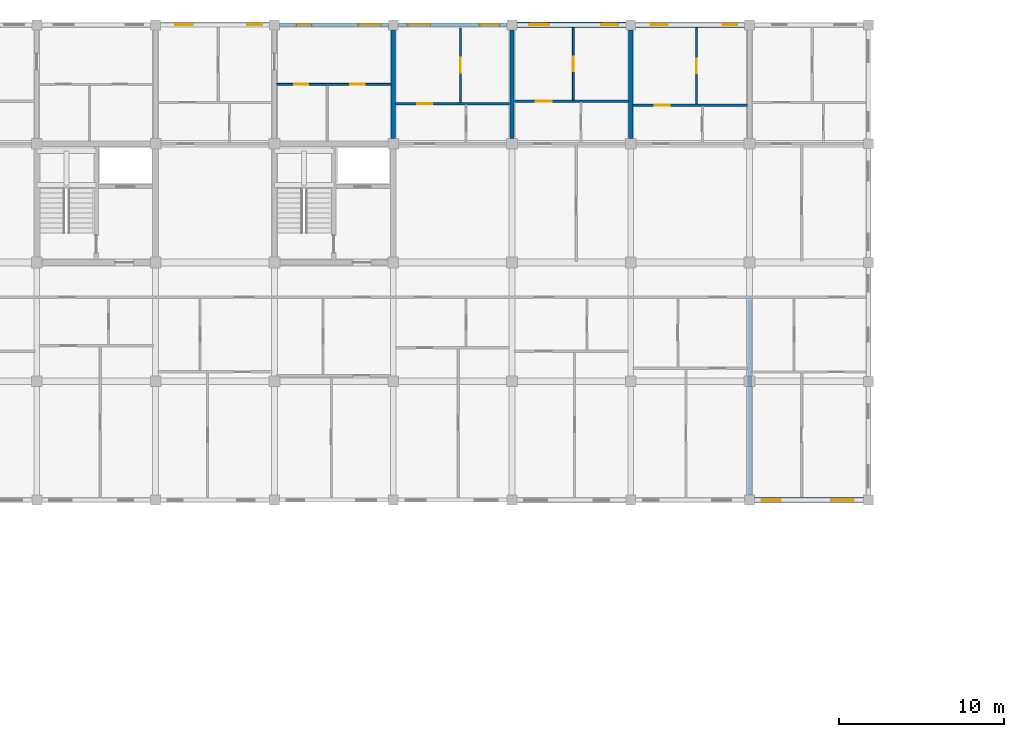
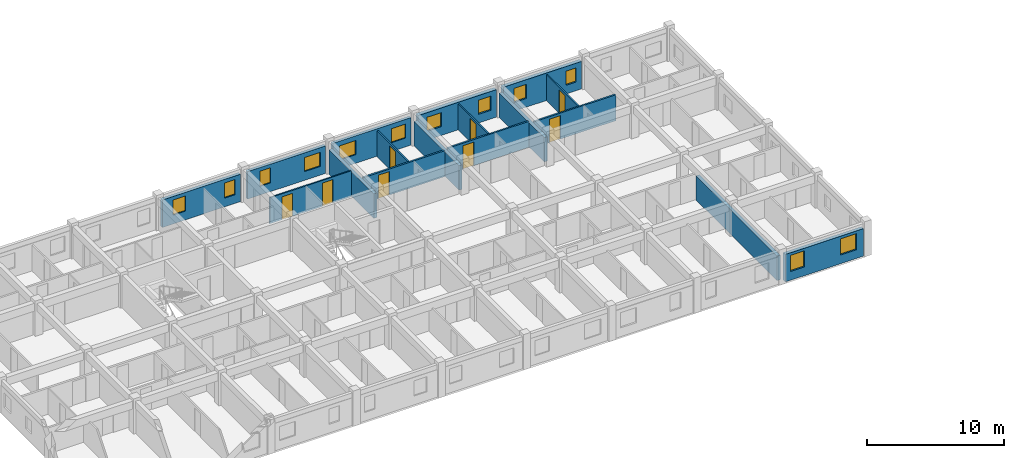
# One storey, part 39 of 50: 17 walls, 12 windows, 8 doors, 20 openings.
"""IFC4 building model written with IfcOpenShell, lengths in metres."""

from ifc_helpers import new_model, si_unit, direction, frame, frame_2d, origin, place, context, subcontext, project, spatial, rectangle, extrude, material, layer, layer_set, type_object, element, fill, save


model = new_model("IFC4")

# Units and contexts
model_context = context("Model", 3, precision=1e-05, world=origin(), true_north=direction((0.0, 1.0)))
body_context = subcontext(model_context, "Body", "Model", "MODEL_VIEW")
ifc_project = project(units=[si_unit("LENGTHUNIT", "METRE"), si_unit("AREAUNIT", "SQUARE_METRE"), si_unit("VOLUMEUNIT", "CUBIC_METRE"), si_unit("PLANEANGLEUNIT", "RADIAN"), si_unit("MASSUNIT", "GRAM", prefix="KILO"), si_unit("THERMODYNAMICTEMPERATUREUNIT", "KELVIN"), si_unit("POWERUNIT", "WATT")], contexts=[model_context])

# Site, building, storey
site_placement = place(None, origin())
site = spatial("IfcSite", under=ifc_project, at=site_placement, CompositionType="ELEMENT")
building_placement = place(site_placement, origin())
building = spatial("IfcBuilding", under=site, at=building_placement, Name="Tavuni Mirador Residences", CompositionType="ELEMENT")
storey_placement = place(building_placement, frame((0.0, 0.0, 4.5)))
storey = spatial("IfcBuildingStorey", under=building, at=storey_placement, Name="L01", CompositionType="ELEMENT", Elevation=4.5)

# Wall, openings, windows
ifc_material_1 = material(Name="Precast concrete C40/50", Category="concrete")
ifc_layer_1 = layer(ifc_material_1, 0.330078125, Name="Precast concrete C40/50", Category="concrete")
ifc_layer_set_1 = layer_set([ifc_layer_1], Name="Precast concrete C40/50")
wall_type_1 = type_object("IfcWallType", Name="WT-EXT-COR330", PredefinedType="SOLIDWALL", material=ifc_layer_set_1)
wall_1_placement = place(storey_placement, frame((60.89990234375, 172.800048828125, 0.0), z_axis=(0.0, 0.0, 1.0), x_axis=(-1.0, 0.0, 0.0)))
wall_1 = element("IfcWall", 1, at=wall_1_placement, inside=storey, type_object=wall_type_1, Name="EW-BLK-C-L01-N06", PredefinedType="SOLIDWALL", context=body_context, shape_type="SweptSolid", body=[
    extrude(rectangle(XDim=6.599853515625, YDim=0.330078125, at=frame_2d((3.2998046875, 0.0))), origin(), (0.0, 0.0, 1.0), 2.455078125),
])
opening_1_placement = place(wall_1_placement, frame((0.449951171875, 0.0, 0.780029296875)))
opening_1 = element("IfcOpeningElement", 2, at=opening_1_placement, cuts=wall_1, Name="Opening WN-11", PredefinedType="OPENING", context=body_context, shape_type="SweptSolid", body=[
    extrude(rectangle(XDim=1.0400390625, YDim=1.260009765625, at=frame_2d((0.52001953125, 0.6298828125))), frame((0.0, 0.175048828125, 0.0), z_axis=(0.0, -1.0, 0.0), x_axis=(1.0, 0.0, 0.0)), (0.0, 0.0, 1.0), 0.35009765625),
])
opening_2_placement = place(wall_1_placement, frame((4.64990234375, 0.0, 0.780029296875)))
opening_2 = element("IfcOpeningElement", 3, at=opening_2_placement, cuts=wall_1, Name="Opening WN-13", PredefinedType="OPENING", context=body_context, shape_type="SweptSolid", body=[
    extrude(rectangle(XDim=1.199951171875, YDim=1.260009765625, at=frame_2d((0.60009765625, 0.6298828125))), frame((0.0, 0.175048828125, 0.0), z_axis=(0.0, -1.0, 0.0), x_axis=(1.0, 0.0, 0.0)), (0.0, 0.0, 1.0), 0.35009765625),
])
ifc_material_2 = material(Name="Laminated solar-control glass", Category="glass")
window_type_1 = type_object("IfcWindowType", Name="WNT-11", PartitioningType="SINGLE_PANEL", PredefinedType="WINDOW", material=ifc_material_2)
window_1_placement = place(opening_1_placement, origin())
window_1 = element("IfcWindow", 4, at=window_1_placement, inside=storey, type_object=window_type_1, Name="WIN-0879", OverallHeight=1.260009765625, OverallWidth=1.0400390625, PartitioningType="SINGLE_PANEL", PredefinedType="WINDOW", context=body_context, shape_type="SweptSolid", body=[
    extrude(rectangle(XDim=1.0400390625, YDim=1.260009765625, at=frame_2d((0.52001953125, 0.6298828125))), frame((0.0, 0.030029296875, 0.0), z_axis=(0.0, -1.0, 0.0), x_axis=(1.0, 0.0, 0.0)), (0.0, 0.0, 1.0), 0.06005859375),
])
fill(opening_1, window_1)
window_type_2 = type_object("IfcWindowType", Name="WNT-13", PartitioningType="SINGLE_PANEL", PredefinedType="WINDOW", material=ifc_material_2)
window_2_placement = place(opening_2_placement, origin())
window_2 = element("IfcWindow", 5, at=window_2_placement, inside=storey, type_object=window_type_2, Name="WIN-0880", OverallHeight=1.260009765625, OverallWidth=1.199951171875, PartitioningType="SINGLE_PANEL", PredefinedType="WINDOW", context=body_context, shape_type="SweptSolid", body=[
    extrude(rectangle(XDim=1.199951171875, YDim=1.260009765625, at=frame_2d((0.60009765625, 0.6298828125))), frame((0.0, 0.030029296875, 0.0), z_axis=(0.0, -1.0, 0.0), x_axis=(1.0, 0.0, 0.0)), (0.0, 0.0, 1.0), 0.06005859375),
])
fill(opening_2, window_2)

ifc_material_3 = material(Name="Sgraffito lime-rendered precast concrete C40/50", Category="concrete")
ifc_layer_2 = layer(ifc_material_3, 0.2451171875, Name="Sgraffito lime-rendered precast concrete C40/50", Category="concrete")
ifc_layer_set_2 = layer_set([ifc_layer_2], Name="Sgraffito lime-rendered precast concrete C40/50")
wall_type_2 = type_object("IfcWallType", Name="WT-EXT-PC245", PredefinedType="SOLIDWALL", material=ifc_layer_set_2)
wall_2_placement = place(storey_placement, frame((53.699951171875, 172.800048828125, 0.0), z_axis=(0.0, 0.0, 1.0), x_axis=(-1.0, 0.0, 0.0)))
wall_2 = element("IfcWall", 6, at=wall_2_placement, inside=storey, type_object=wall_type_2, Name="EW-BLK-C-L01-N05", PredefinedType="SOLIDWALL", context=body_context, shape_type="SweptSolid", body=[
    extrude(rectangle(XDim=6.599853515625, YDim=0.2451171875, at=frame_2d((3.2998046875, 0.0))), origin(), (0.0, 0.0, 1.0), 2.455078125),
])
opening_3_placement = place(wall_2_placement, frame((0.449951171875, 0.0, 0.780029296875)))
opening_3 = element("IfcOpeningElement", 7, at=opening_3_placement, cuts=wall_2, Name="Opening WN-13", PredefinedType="OPENING", context=body_context, shape_type="SweptSolid", body=[
    extrude(rectangle(XDim=1.199951171875, YDim=1.260009765625, at=frame_2d((0.60009765625, 0.6298828125))), frame((0.0, 0.132568359375, 0.0), z_axis=(0.0, -1.0, 0.0), x_axis=(1.0, 0.0, 0.0)), (0.0, 0.0, 1.0), 0.26513671875),
])
opening_4_placement = place(wall_2_placement, frame((4.64990234375, 0.0, 0.780029296875)))
opening_4 = element("IfcOpeningElement", 8, at=opening_4_placement, cuts=wall_2, Name="Opening WN-15", PredefinedType="OPENING", context=body_context, shape_type="SweptSolid", body=[
    extrude(rectangle(XDim=1.360107421875, YDim=1.260009765625, at=frame_2d((0.68017578125, 0.6298828125))), frame((0.0, 0.132568359375, 0.0), z_axis=(0.0, -1.0, 0.0), x_axis=(1.0, 0.0, 0.0)), (0.0, 0.0, 1.0), 0.26513671875),
])
window_3_placement = place(opening_3_placement, origin())
window_3 = element("IfcWindow", 9, at=window_3_placement, inside=storey, type_object=window_type_2, Name="WIN-0881", OverallHeight=1.260009765625, OverallWidth=1.199951171875, PartitioningType="SINGLE_PANEL", PredefinedType="WINDOW", context=body_context, shape_type="SweptSolid", body=[
    extrude(rectangle(XDim=1.199951171875, YDim=1.260009765625, at=frame_2d((0.60009765625, 0.6298828125))), frame((0.0, 0.030029296875, 0.0), z_axis=(0.0, -1.0, 0.0), x_axis=(1.0, 0.0, 0.0)), (0.0, 0.0, 1.0), 0.06005859375),
])
fill(opening_3, window_3)
window_type_3 = type_object("IfcWindowType", Name="WNT-15", PartitioningType="SINGLE_PANEL", PredefinedType="WINDOW", material=ifc_material_2)
window_4_placement = place(opening_4_placement, origin())
window_4 = element("IfcWindow", 10, at=window_4_placement, inside=storey, type_object=window_type_3, Name="WIN-0882", OverallHeight=1.260009765625, OverallWidth=1.360107421875, PartitioningType="SINGLE_PANEL", PredefinedType="WINDOW", context=body_context, shape_type="SweptSolid", body=[
    extrude(rectangle(XDim=1.360107421875, YDim=1.260009765625, at=frame_2d((0.68017578125, 0.6298828125))), frame((0.0, 0.030029296875, 0.0), z_axis=(0.0, -1.0, 0.0), x_axis=(1.0, 0.0, 0.0)), (0.0, 0.0, 1.0), 0.06005859375),
])
fill(opening_4, window_4)

ifc_layer_3 = layer(ifc_material_3, 0.2548828125, Name="Sgraffito lime-rendered precast concrete C40/50", Category="concrete")
ifc_layer_set_3 = layer_set([ifc_layer_3], Name="Sgraffito lime-rendered precast concrete C40/50")
wall_type_3 = type_object("IfcWallType", Name="WT-EXT-PC255", PredefinedType="SOLIDWALL", material=ifc_layer_set_3)
wall_3_placement = place(storey_placement, frame((46.5, 172.800048828125, 0.0), z_axis=(0.0, 0.0, 1.0), x_axis=(-1.0, 0.0, 0.0)))
wall_3 = element("IfcWall", 11, at=wall_3_placement, inside=storey, type_object=wall_type_3, Name="EW-BLK-C-L01-N04", PredefinedType="SOLIDWALL", context=body_context, shape_type="SweptSolid", body=[
    extrude(rectangle(XDim=6.60009765625, YDim=0.2548828125, at=frame_2d((3.300048828125, 0.0))), origin(), (0.0, 0.0, 1.0), 2.455078125),
])
opening_5_placement = place(wall_3_placement, frame((0.449951171875, 0.0, 0.780029296875)))
opening_5 = element("IfcOpeningElement", 12, at=opening_5_placement, cuts=wall_3, Name="Opening WN-15", PredefinedType="OPENING", context=body_context, shape_type="SweptSolid", body=[
    extrude(rectangle(XDim=1.360107421875, YDim=1.260009765625, at=frame_2d((0.68017578125, 0.6298828125))), frame((0.0, 0.137451171875, 0.0), z_axis=(0.0, -1.0, 0.0), x_axis=(1.0, 0.0, 0.0)), (0.0, 0.0, 1.0), 0.27490234375),
])
opening_6_placement = place(wall_3_placement, frame((4.64990234375, 0.0, 0.780029296875)))
opening_6 = element("IfcOpeningElement", 13, at=opening_6_placement, cuts=wall_3, Name="Opening WN-17", PredefinedType="OPENING", context=body_context, shape_type="SweptSolid", body=[
    extrude(rectangle(XDim=0.89990234375, YDim=1.360107421875, at=frame_2d((0.449951171875, 0.68017578125))), frame((0.0, 0.137451171875, 0.0), z_axis=(0.0, -1.0, 0.0), x_axis=(1.0, 0.0, 0.0)), (0.0, 0.0, 1.0), 0.27490234375),
])
window_5_placement = place(opening_5_placement, origin())
window_5 = element("IfcWindow", 14, at=window_5_placement, inside=storey, type_object=window_type_3, Name="WIN-0883", OverallHeight=1.260009765625, OverallWidth=1.360107421875, PartitioningType="SINGLE_PANEL", PredefinedType="WINDOW", context=body_context, shape_type="SweptSolid", body=[
    extrude(rectangle(XDim=1.360107421875, YDim=1.260009765625, at=frame_2d((0.68017578125, 0.6298828125))), frame((0.0, 0.030029296875, 0.0), z_axis=(0.0, -1.0, 0.0), x_axis=(1.0, 0.0, 0.0)), (0.0, 0.0, 1.0), 0.06005859375),
])
fill(opening_5, window_5)
window_type_4 = type_object("IfcWindowType", Name="WNT-17", PartitioningType="SINGLE_PANEL", PredefinedType="WINDOW", material=ifc_material_2)
window_6_placement = place(opening_6_placement, origin())
window_6 = element("IfcWindow", 15, at=window_6_placement, inside=storey, type_object=window_type_4, Name="WIN-0884", OverallHeight=1.360107421875, OverallWidth=0.89990234375, PartitioningType="SINGLE_PANEL", PredefinedType="WINDOW", context=body_context, shape_type="SweptSolid", body=[
    extrude(rectangle(XDim=0.89990234375, YDim=1.360107421875, at=frame_2d((0.449951171875, 0.68017578125))), frame((0.0, 0.030029296875, 0.0), z_axis=(0.0, -1.0, 0.0), x_axis=(1.0, 0.0, 0.0)), (0.0, 0.0, 1.0), 0.06005859375),
])
fill(opening_6, window_6)

ifc_layer_4 = layer(ifc_material_3, 0.27490234375, Name="Sgraffito lime-rendered precast concrete C40/50", Category="concrete")
ifc_layer_set_4 = layer_set([ifc_layer_4], Name="Sgraffito lime-rendered precast concrete C40/50")
wall_type_4 = type_object("IfcWallType", Name="WT-EXT-PC275", PredefinedType="SOLIDWALL", material=ifc_layer_set_4)
wall_4_placement = place(storey_placement, frame((39.300048828125, 172.800048828125, 0.0), z_axis=(0.0, 0.0, 1.0), x_axis=(-1.0, 0.0, 0.0)))
wall_4 = element("IfcWall", 16, at=wall_4_placement, inside=storey, type_object=wall_type_4, Name="EW-BLK-C-L01-N03", PredefinedType="SOLIDWALL", context=body_context, shape_type="SweptSolid", body=[
    extrude(rectangle(XDim=6.60009765625, YDim=0.27490234375, at=frame_2d((3.300048828125, 0.0))), origin(), (0.0, 0.0, 1.0), 2.455078125),
])
opening_7_placement = place(wall_4_placement, frame((0.449951171875, 0.0, 0.780029296875)))
opening_7 = element("IfcOpeningElement", 17, at=opening_7_placement, cuts=wall_4, Name="Opening WN-17", PredefinedType="OPENING", context=body_context, shape_type="SweptSolid", body=[
    extrude(rectangle(XDim=0.89990234375, YDim=1.360107421875, at=frame_2d((0.449951171875, 0.68017578125))), frame((0.0, 0.1474609375, 0.0), z_axis=(0.0, -1.0, 0.0), x_axis=(1.0, 0.0, 0.0)), (0.0, 0.0, 1.0), 0.294921875),
])
opening_8_placement = place(wall_4_placement, frame((4.64990234375, 0.0, 0.780029296875)))
opening_8 = element("IfcOpeningElement", 18, at=opening_8_placement, cuts=wall_4, Name="Opening WN-19", PredefinedType="OPENING", context=body_context, shape_type="SweptSolid", body=[
    extrude(rectangle(XDim=1.06005859375, YDim=1.360107421875, at=frame_2d((0.530029296875, 0.68017578125))), frame((0.0, 0.1474609375, 0.0), z_axis=(0.0, -1.0, 0.0), x_axis=(1.0, 0.0, 0.0)), (0.0, 0.0, 1.0), 0.294921875),
])
window_7_placement = place(opening_7_placement, origin())
window_7 = element("IfcWindow", 19, at=window_7_placement, inside=storey, type_object=window_type_4, Name="WIN-0885", OverallHeight=1.360107421875, OverallWidth=0.89990234375, PartitioningType="SINGLE_PANEL", PredefinedType="WINDOW", context=body_context, shape_type="SweptSolid", body=[
    extrude(rectangle(XDim=0.89990234375, YDim=1.360107421875, at=frame_2d((0.449951171875, 0.68017578125))), frame((0.0, 0.030029296875, 0.0), z_axis=(0.0, -1.0, 0.0), x_axis=(1.0, 0.0, 0.0)), (0.0, 0.0, 1.0), 0.06005859375),
])
fill(opening_7, window_7)
window_type_5 = type_object("IfcWindowType", Name="WNT-19", PartitioningType="SINGLE_PANEL", PredefinedType="WINDOW", material=ifc_material_2)
window_8_placement = place(opening_8_placement, origin())
window_8 = element("IfcWindow", 20, at=window_8_placement, inside=storey, type_object=window_type_5, Name="WIN-0886", OverallHeight=1.360107421875, OverallWidth=1.06005859375, PartitioningType="SINGLE_PANEL", PredefinedType="WINDOW", context=body_context, shape_type="SweptSolid", body=[
    extrude(rectangle(XDim=1.06005859375, YDim=1.360107421875, at=frame_2d((0.530029296875, 0.68017578125))), frame((0.0, 0.030029296875, 0.0), z_axis=(0.0, -1.0, 0.0), x_axis=(1.0, 0.0, 0.0)), (0.0, 0.0, 1.0), 0.06005859375),
])
fill(opening_8, window_8)

ifc_layer_5 = layer(ifc_material_3, 0.304931640625, Name="Sgraffito lime-rendered precast concrete C40/50", Category="concrete")
ifc_layer_set_5 = layer_set([ifc_layer_5], Name="Sgraffito lime-rendered precast concrete C40/50")
wall_type_5 = type_object("IfcWallType", Name="WT-EXT-PC305", PredefinedType="SOLIDWALL", material=ifc_layer_set_5)
wall_5_placement = place(storey_placement, frame((68.699951171875, 144.0, 0.0), z_axis=(0.0, 0.0, 1.0), x_axis=(1.0, 0.0, 0.0)))
wall_5 = element("IfcWall", 21, at=wall_5_placement, inside=storey, type_object=wall_type_5, Name="EW-BLK-C-L01-S08", PredefinedType="SOLIDWALL", context=body_context, shape_type="SweptSolid", body=[
    extrude(rectangle(XDim=6.60009765625, YDim=0.304931640625, at=frame_2d((3.300048828125, 0.0))), origin(), (0.0, 0.0, 1.0), 2.455078125),
])
opening_9_placement = place(wall_5_placement, frame((0.449951171875, 0.0, 0.780029296875)))
opening_9 = element("IfcOpeningElement", 22, at=opening_9_placement, cuts=wall_5, Name="Opening WN-27", PredefinedType="OPENING", context=body_context, shape_type="SweptSolid", body=[
    extrude(rectangle(XDim=1.14990234375, YDim=1.43994140625, at=frame_2d((0.574951171875, 0.719970703125))), frame((0.0, 0.16259765625, 0.0), z_axis=(0.0, -1.0, 0.0), x_axis=(1.0, 0.0, 0.0)), (0.0, 0.0, 1.0), 0.324951171875),
])
opening_10_placement = place(wall_5_placement, frame((4.64990234375, 0.0, 0.780029296875)))
opening_10 = element("IfcOpeningElement", 23, at=opening_10_placement, cuts=wall_5, Name="Opening WN-29", PredefinedType="OPENING", context=body_context, shape_type="SweptSolid", body=[
    extrude(rectangle(XDim=1.35009765625, YDim=1.43994140625, at=frame_2d((0.675048828125, 0.719970703125))), frame((0.0, 0.16259765625, 0.0), z_axis=(0.0, -1.0, 0.0), x_axis=(1.0, 0.0, 0.0)), (0.0, 0.0, 1.0), 0.324951171875),
])
window_type_6 = type_object("IfcWindowType", Name="WNT-27", PartitioningType="SINGLE_PANEL", PredefinedType="WINDOW", material=ifc_material_2)
window_9_placement = place(opening_9_placement, origin())
window_9 = element("IfcWindow", 24, at=window_9_placement, inside=storey, type_object=window_type_6, Name="WIN-0865", OverallHeight=1.43994140625, OverallWidth=1.14990234375, PartitioningType="SINGLE_PANEL", PredefinedType="WINDOW", context=body_context, shape_type="SweptSolid", body=[
    extrude(rectangle(XDim=1.14990234375, YDim=1.43994140625, at=frame_2d((0.574951171875, 0.719970703125))), frame((0.0, 0.030029296875, 0.0), z_axis=(0.0, -1.0, 0.0), x_axis=(1.0, 0.0, 0.0)), (0.0, 0.0, 1.0), 0.06005859375),
])
fill(opening_9, window_9)
window_type_7 = type_object("IfcWindowType", Name="WNT-29", PartitioningType="SINGLE_PANEL", PredefinedType="WINDOW", material=ifc_material_2)
window_10_placement = place(opening_10_placement, origin())
window_10 = element("IfcWindow", 25, at=window_10_placement, inside=storey, type_object=window_type_7, Name="WIN-0866", OverallHeight=1.43994140625, OverallWidth=1.35009765625, PartitioningType="SINGLE_PANEL", PredefinedType="WINDOW", context=body_context, shape_type="SweptSolid", body=[
    extrude(rectangle(XDim=1.35009765625, YDim=1.43994140625, at=frame_2d((0.675048828125, 0.719970703125))), frame((0.0, 0.030029296875, 0.0), z_axis=(0.0, -1.0, 0.0), x_axis=(1.0, 0.0, 0.0)), (0.0, 0.0, 1.0), 0.06005859375),
])
fill(opening_10, window_10)

ifc_layer_6 = layer(ifc_material_3, 0.31494140625, Name="Sgraffito lime-rendered precast concrete C40/50", Category="concrete")
ifc_layer_set_6 = layer_set([ifc_layer_6], Name="Sgraffito lime-rendered precast concrete C40/50")
wall_type_6 = type_object("IfcWallType", Name="WT-EXT-PC315", PredefinedType="SOLIDWALL", material=ifc_layer_set_6)
wall_6_placement = place(storey_placement, frame((68.10009765625, 172.800048828125, 0.0), z_axis=(0.0, 0.0, 1.0), x_axis=(-1.0, 0.0, 0.0)))
wall_6 = element("IfcWall", 26, at=wall_6_placement, inside=storey, type_object=wall_type_6, Name="EW-BLK-C-L01-N07", PredefinedType="SOLIDWALL", context=body_context, shape_type="SweptSolid", body=[
    extrude(rectangle(XDim=6.60009765625, YDim=0.31494140625, at=frame_2d((3.300048828125, 0.0))), origin(), (0.0, 0.0, 1.0), 2.455078125),
])
opening_11_placement = place(wall_6_placement, frame((0.449951171875, 0.0, 0.780029296875)))
opening_11 = element("IfcOpeningElement", 27, at=opening_11_placement, cuts=wall_6, Name="Opening WN-09", PredefinedType="OPENING", context=body_context, shape_type="SweptSolid", body=[
    extrude(rectangle(XDim=0.8798828125, YDim=1.260009765625, at=frame_2d((0.43994140625, 0.6298828125))), frame((0.0, 0.16748046875, 0.0), z_axis=(0.0, -1.0, 0.0), x_axis=(1.0, 0.0, 0.0)), (0.0, 0.0, 1.0), 0.3349609375),
])
opening_12_placement = place(wall_6_placement, frame((4.64990234375, 0.0, 0.780029296875)))
opening_12 = element("IfcOpeningElement", 28, at=opening_12_placement, cuts=wall_6, Name="Opening WN-11", PredefinedType="OPENING", context=body_context, shape_type="SweptSolid", body=[
    extrude(rectangle(XDim=1.0400390625, YDim=1.260009765625, at=frame_2d((0.52001953125, 0.6298828125))), frame((0.0, 0.16748046875, 0.0), z_axis=(0.0, -1.0, 0.0), x_axis=(1.0, 0.0, 0.0)), (0.0, 0.0, 1.0), 0.3349609375),
])
window_type_8 = type_object("IfcWindowType", Name="WNT-09", PartitioningType="SINGLE_PANEL", PredefinedType="WINDOW", material=ifc_material_2)
window_11_placement = place(opening_11_placement, origin())
window_11 = element("IfcWindow", 29, at=window_11_placement, inside=storey, type_object=window_type_8, Name="WIN-0877", OverallHeight=1.260009765625, OverallWidth=0.8798828125, PartitioningType="SINGLE_PANEL", PredefinedType="WINDOW", context=body_context, shape_type="SweptSolid", body=[
    extrude(rectangle(XDim=0.8798828125, YDim=1.260009765625, at=frame_2d((0.43994140625, 0.6298828125))), frame((0.0, 0.030029296875, 0.0), z_axis=(0.0, -1.0, 0.0), x_axis=(1.0, 0.0, 0.0)), (0.0, 0.0, 1.0), 0.06005859375),
])
fill(opening_11, window_11)
window_12_placement = place(opening_12_placement, origin())
window_12 = element("IfcWindow", 30, at=window_12_placement, inside=storey, type_object=window_type_1, Name="WIN-0878", OverallHeight=1.260009765625, OverallWidth=1.0400390625, PartitioningType="SINGLE_PANEL", PredefinedType="WINDOW", context=body_context, shape_type="SweptSolid", body=[
    extrude(rectangle(XDim=1.0400390625, YDim=1.260009765625, at=frame_2d((0.52001953125, 0.6298828125))), frame((0.0, 0.030029296875, 0.0), z_axis=(0.0, -1.0, 0.0), x_axis=(1.0, 0.0, 0.0)), (0.0, 0.0, 1.0), 0.06005859375),
])
fill(opening_12, window_12)

# Wall, openings, doors
ifc_material_4 = material(Name="Acoustic gypsum and concrete block partition", Category="concrete")
ifc_layer_7 = layer(ifc_material_4, 0.114990234375, Name="Acoustic gypsum and concrete block partition", Category="concrete")
ifc_layer_set_7 = layer_set([ifc_layer_7], Name="Acoustic gypsum and concrete block partition")
wall_type_7 = type_object("IfcWallType", Name="WT-PART115", PredefinedType="PARTITIONING", material=ifc_layer_set_7)
wall_7_placement = place(storey_placement, frame((39.739990234375, 169.199951171875, 0.0), z_axis=(0.0, 0.0, 1.0), x_axis=(1.0, 0.0, 0.0)))
wall_7 = element("IfcWall", 31, at=wall_7_placement, inside=storey, type_object=wall_type_7, Name="PW-BLK-C-L01-NC04-M", PredefinedType="PARTITIONING", context=body_context, shape_type="SweptSolid", body=[
    extrude(rectangle(XDim=6.919921875, YDim=0.114990234375, at=frame_2d((3.4599609375, 0.0))), origin(), (0.0, 0.0, 1.0), 2.320068359375),
])
opening_13_placement = place(wall_7_placement, frame((1.050048828125, 0.0, 0.0)))
opening_13 = element("IfcOpeningElement", 32, at=opening_13_placement, cuts=wall_7, Name="Opening D-10", PredefinedType="OPENING", context=body_context, shape_type="SweptSolid", body=[
    extrude(rectangle(XDim=0.8701171875, YDim=2.050048828125, at=frame_2d((0.43505859375, 1.02490234375))), frame((0.0, 0.0673828125, 0.0), z_axis=(0.0, -1.0, 0.0), x_axis=(1.0, 0.0, 0.0)), (0.0, 0.0, 1.0), 0.135009765625),
])
opening_14_placement = place(wall_7_placement, frame((4.449951171875, 0.0, 0.0)))
opening_14 = element("IfcOpeningElement", 33, at=opening_14_placement, cuts=wall_7, Name="Opening D-08", PredefinedType="OPENING", context=body_context, shape_type="SweptSolid", body=[
    extrude(rectangle(XDim=0.8798828125, YDim=2.080078125, at=frame_2d((0.43994140625, 1.0400390625))), frame((0.0, 0.0673828125, 0.0), z_axis=(0.0, -1.0, 0.0), x_axis=(1.0, 0.0, 0.0)), (0.0, 0.0, 1.0), 0.135009765625),
])
ifc_material_5 = material(Name="Solid core iroko timber", Category="wood")
door_type_1 = type_object("IfcDoorType", Name="DT-BED880", OperationType="NOTDEFINED", PredefinedType="DOOR", material=ifc_material_5)
door_1_placement = place(opening_14_placement, origin())
door_1 = element("IfcDoor", 34, at=door_1_placement, inside=storey, type_object=door_type_1, Name="DR-3712", OperationType="SINGLE_SWING_RIGHT", OverallHeight=2.080078125, OverallWidth=0.8798828125, PredefinedType="DOOR", context=body_context, shape_type="SweptSolid", body=[
    extrude(rectangle(XDim=0.8798828125, YDim=2.080078125, at=frame_2d((0.43994140625, 1.0400390625))), frame((0.0, 0.02490234375, 0.0), z_axis=(0.0, -1.0, 0.0), x_axis=(1.0, 0.0, 0.0)), (0.0, 0.0, 1.0), 0.050048828125),
])
fill(opening_14, door_1)
door_type_2 = type_object("IfcDoorType", Name="DT-WC870", OperationType="NOTDEFINED", PredefinedType="DOOR", material=ifc_material_5)
door_2_placement = place(opening_13_placement, origin())
door_2 = element("IfcDoor", 35, at=door_2_placement, inside=storey, type_object=door_type_2, Name="DR-3711", OperationType="SINGLE_SWING_LEFT", OverallHeight=2.050048828125, OverallWidth=0.8701171875, PredefinedType="DOOR", context=body_context, shape_type="SweptSolid", body=[
    extrude(rectangle(XDim=0.8701171875, YDim=2.050048828125, at=frame_2d((0.43505859375, 1.02490234375))), frame((0.0, 0.02490234375, 0.0), z_axis=(0.0, -1.0, 0.0), x_axis=(1.0, 0.0, 0.0)), (0.0, 0.0, 1.0), 0.050048828125),
])
fill(opening_13, door_2)

# Wall, opening, door
wall_8_placement = place(storey_placement, frame((57.719970703125, 168.25, 0.0), z_axis=(0.0, 0.0, 1.0), x_axis=(0.0, 1.0, 0.0)))
wall_8 = element("IfcWall", 36, at=wall_8_placement, inside=storey, type_object=wall_type_7, Name="PW-BLK-C-L01-N06-OUT", PredefinedType="PARTITIONING", context=body_context, shape_type="SweptSolid", body=[
    extrude(rectangle(XDim=4.375, YDim=0.114990234375, at=frame_2d((2.1875, 0.0))), origin(), (0.0, 0.0, 1.0), 2.320068359375),
])
opening_15_placement = place(wall_8_placement, frame((1.737548828125, 0.0, 0.0)))
opening_15 = element("IfcOpeningElement", 37, at=opening_15_placement, cuts=wall_8, Name="Opening D-07", PredefinedType="OPENING", context=body_context, shape_type="SweptSolid", body=[
    extrude(rectangle(XDim=0.89990234375, YDim=2.10009765625, at=frame_2d((0.449951171875, 1.050048828125))), frame((0.0, 0.0673828125, 0.0), z_axis=(0.0, -1.0, 0.0), x_axis=(1.0, 0.0, 0.0)), (0.0, 0.0, 1.0), 0.135009765625),
])
door_type_3 = type_object("IfcDoorType", Name="DT-BED900", OperationType="NOTDEFINED", PredefinedType="DOOR", material=ifc_material_5)
door_3_placement = place(opening_15_placement, origin())
door_3 = element("IfcDoor", 38, at=door_3_placement, inside=storey, type_object=door_type_3, Name="DR-3723", OperationType="SINGLE_SWING_RIGHT", OverallHeight=2.10009765625, OverallWidth=0.89990234375, PredefinedType="DOOR", context=body_context, shape_type="SweptSolid", body=[
    extrude(rectangle(XDim=0.89990234375, YDim=2.10009765625, at=frame_2d((0.449951171875, 1.050048828125))), frame((0.0, 0.02490234375, 0.0), z_axis=(0.0, -1.0, 0.0), x_axis=(1.0, 0.0, 0.0)), (0.0, 0.0, 1.0), 0.050048828125),
])
fill(opening_15, door_3)

wall_9_placement = place(storey_placement, frame((65.179931640625, 168.010009765625, 0.0), z_axis=(0.0, 0.0, 1.0), x_axis=(0.0, 1.0, 0.0)))
wall_9 = element("IfcWall", 39, at=wall_9_placement, inside=storey, type_object=wall_type_7, Name="PW-BLK-C-L01-N07-OUT", PredefinedType="PARTITIONING", context=body_context, shape_type="SweptSolid", body=[
    extrude(rectangle(XDim=4.614990234375, YDim=0.114990234375, at=frame_2d((2.3076171875, 0.0))), origin(), (0.0, 0.0, 1.0), 2.320068359375),
])
opening_16_placement = place(wall_9_placement, frame((1.867431640625, 0.0, 0.0)))
opening_16 = element("IfcOpeningElement", 40, at=opening_16_placement, cuts=wall_9, Name="Opening D-08", PredefinedType="OPENING", context=body_context, shape_type="SweptSolid", body=[
    extrude(rectangle(XDim=0.8798828125, YDim=2.080078125, at=frame_2d((0.43994140625, 1.0400390625))), frame((0.0, 0.0673828125, 0.0), z_axis=(0.0, -1.0, 0.0), x_axis=(1.0, 0.0, 0.0)), (0.0, 0.0, 1.0), 0.135009765625),
])
door_4_placement = place(opening_16_placement, origin())
door_4 = element("IfcDoor", 41, at=door_4_placement, inside=storey, type_object=door_type_1, Name="DR-3729", OperationType="SINGLE_SWING_LEFT", OverallHeight=2.080078125, OverallWidth=0.8798828125, PredefinedType="DOOR", context=body_context, shape_type="SweptSolid", body=[
    extrude(rectangle(XDim=0.8798828125, YDim=2.080078125, at=frame_2d((0.43994140625, 1.0400390625))), frame((0.0, 0.02490234375, 0.0), z_axis=(0.0, -1.0, 0.0), x_axis=(1.0, 0.0, 0.0)), (0.0, 0.0, 1.0), 0.050048828125),
])
fill(opening_16, door_4)

ifc_layer_8 = layer(ifc_material_4, 0.125, Name="Acoustic gypsum and concrete block partition", Category="concrete")
ifc_layer_set_8 = layer_set([ifc_layer_8], Name="Acoustic gypsum and concrete block partition")
wall_type_8 = type_object("IfcWallType", Name="WT-PART125", PredefinedType="PARTITIONING", material=ifc_layer_set_8)
wall_10_placement = place(storey_placement, frame((50.8798828125, 168.090087890625, 0.0), z_axis=(0.0, 0.0, 1.0), x_axis=(0.0, 1.0, 0.0)))
wall_10 = element("IfcWall", 42, at=wall_10_placement, inside=storey, type_object=wall_type_8, Name="PW-BLK-C-L01-N05-OUT", PredefinedType="PARTITIONING", context=body_context, shape_type="SweptSolid", body=[
    extrude(rectangle(XDim=4.534912109375, YDim=0.125, at=frame_2d((2.267578125, 0.0))), origin(), (0.0, 0.0, 1.0), 2.320068359375),
])
opening_17_placement = place(wall_10_placement, frame((1.827392578125, 0.0, 0.0)))
opening_17 = element("IfcOpeningElement", 43, at=opening_17_placement, cuts=wall_10, Name="Opening D-08", PredefinedType="OPENING", context=body_context, shape_type="SweptSolid", body=[
    extrude(rectangle(XDim=0.8798828125, YDim=2.080078125, at=frame_2d((0.43994140625, 1.0400390625))), frame((0.0, 0.072509765625, 0.0), z_axis=(0.0, -1.0, 0.0), x_axis=(1.0, 0.0, 0.0)), (0.0, 0.0, 1.0), 0.14501953125),
])
door_5_placement = place(opening_17_placement, origin())
door_5 = element("IfcDoor", 44, at=door_5_placement, inside=storey, type_object=door_type_1, Name="DR-3716", OperationType="SINGLE_SWING_LEFT", OverallHeight=2.080078125, OverallWidth=0.8798828125, PredefinedType="DOOR", context=body_context, shape_type="SweptSolid", body=[
    extrude(rectangle(XDim=0.8798828125, YDim=2.080078125, at=frame_2d((0.43994140625, 1.0400390625))), frame((0.0, 0.02490234375, 0.0), z_axis=(0.0, -1.0, 0.0), x_axis=(1.0, 0.0, 0.0)), (0.0, 0.0, 1.0), 0.050048828125),
])
fill(opening_17, door_5)

ifc_layer_9 = layer(ifc_material_4, 0.139892578125, Name="Acoustic gypsum and concrete block partition", Category="concrete")
ifc_layer_set_9 = layer_set([ifc_layer_9], Name="Acoustic gypsum and concrete block partition")
wall_type_9 = type_object("IfcWallType", Name="WT-PART140", PredefinedType="PARTITIONING", material=ifc_layer_set_9)
wall_11_placement = place(storey_placement, frame((54.139892578125, 168.179931640625, 0.0), z_axis=(0.0, 0.0, 1.0), x_axis=(1.0, 0.0, 0.0)))
wall_11 = element("IfcWall", 45, at=wall_11_placement, inside=storey, type_object=wall_type_9, Name="PW-BLK-C-L01-N06-MID", PredefinedType="PARTITIONING", context=body_context, shape_type="SweptSolid", body=[
    extrude(rectangle(XDim=6.920166015625, YDim=0.139892578125, at=frame_2d((3.4599609375, 0.0))), origin(), (0.0, 0.0, 1.0), 2.320068359375),
])
opening_18_placement = place(wall_11_placement, frame((1.31005859375, 0.0, 0.0)))
opening_18 = element("IfcOpeningElement", 46, at=opening_18_placement, cuts=wall_11, Name="Opening D-05", PredefinedType="OPENING", context=body_context, shape_type="SweptSolid", body=[
    extrude(rectangle(XDim=0.949951171875, YDim=2.10009765625, at=frame_2d((0.47509765625, 1.050048828125))), frame((0.0, 0.080078125, 0.0), z_axis=(0.0, -1.0, 0.0), x_axis=(1.0, 0.0, 0.0)), (0.0, 0.0, 1.0), 0.159912109375),
])
door_type_4 = type_object("IfcDoorType", Name="DT-INT950", OperationType="NOTDEFINED", PredefinedType="DOOR", material=ifc_material_5)
door_6_placement = place(opening_18_placement, origin())
door_6 = element("IfcDoor", 47, at=door_6_placement, inside=storey, type_object=door_type_4, Name="DR-3725", OperationType="SINGLE_SWING_LEFT", OverallHeight=2.10009765625, OverallWidth=0.949951171875, PredefinedType="DOOR", context=body_context, shape_type="SweptSolid", body=[
    extrude(rectangle(XDim=0.949951171875, YDim=2.10009765625, at=frame_2d((0.47509765625, 1.050048828125))), frame((0.0, 0.02490234375, 0.0), z_axis=(0.0, -1.0, 0.0), x_axis=(1.0, 0.0, 0.0)), (0.0, 0.0, 1.0), 0.050048828125),
])
fill(opening_18, door_6)

wall_12_placement = place(storey_placement, frame((61.340087890625, 167.93994140625, 0.0), z_axis=(0.0, 0.0, 1.0), x_axis=(1.0, 0.0, 0.0)))
wall_12 = element("IfcWall", 48, at=wall_12_placement, inside=storey, type_object=wall_type_9, Name="PW-BLK-C-L01-N07-MID", PredefinedType="PARTITIONING", context=body_context, shape_type="SweptSolid", body=[
    extrude(rectangle(XDim=6.919921875, YDim=0.139892578125, at=frame_2d((3.4599609375, 0.0))), origin(), (0.0, 0.0, 1.0), 2.320068359375),
])
opening_19_placement = place(wall_12_placement, frame((1.31005859375, 0.0, 0.0)))
opening_19 = element("IfcOpeningElement", 49, at=opening_19_placement, cuts=wall_12, Name="Opening D-06", PredefinedType="OPENING", context=body_context, shape_type="SweptSolid", body=[
    extrude(rectangle(XDim=0.919921875, YDim=2.10009765625, at=frame_2d((0.4599609375, 1.050048828125))), frame((0.0, 0.080078125, 0.0), z_axis=(0.0, -1.0, 0.0), x_axis=(1.0, 0.0, 0.0)), (0.0, 0.0, 1.0), 0.159912109375),
])
door_type_5 = type_object("IfcDoorType", Name="DT-INT920", OperationType="NOTDEFINED", PredefinedType="DOOR", material=ifc_material_5)
door_7_placement = place(opening_19_placement, origin())
door_7 = element("IfcDoor", 50, at=door_7_placement, inside=storey, type_object=door_type_5, Name="DR-3731", OperationType="SINGLE_SWING_RIGHT", OverallHeight=2.10009765625, OverallWidth=0.919921875, PredefinedType="DOOR", context=body_context, shape_type="SweptSolid", body=[
    extrude(rectangle(XDim=0.919921875, YDim=2.10009765625, at=frame_2d((0.4599609375, 1.050048828125))), frame((0.0, 0.02490234375, 0.0), z_axis=(0.0, -1.0, 0.0), x_axis=(1.0, 0.0, 0.0)), (0.0, 0.0, 1.0), 0.050048828125),
])
fill(opening_19, door_7)

ifc_layer_10 = layer(ifc_material_4, 0.14990234375, Name="Acoustic gypsum and concrete block partition", Category="concrete")
ifc_layer_set_10 = layer_set([ifc_layer_10], Name="Acoustic gypsum and concrete block partition")
wall_type_10 = type_object("IfcWallType", Name="WT-PART150", PredefinedType="PARTITIONING", material=ifc_layer_set_10)
wall_13_placement = place(storey_placement, frame((46.93994140625, 168.02001953125, 0.0), z_axis=(0.0, 0.0, 1.0), x_axis=(1.0, 0.0, 0.0)))
wall_13 = element("IfcWall", 51, at=wall_13_placement, inside=storey, type_object=wall_type_10, Name="PW-BLK-C-L01-N05-MID", PredefinedType="PARTITIONING", context=body_context, shape_type="SweptSolid", body=[
    extrude(rectangle(XDim=6.920166015625, YDim=0.14990234375, at=frame_2d((3.4599609375, 0.0))), origin(), (0.0, 0.0, 1.0), 2.320068359375),
])
opening_20_placement = place(wall_13_placement, frame((1.31005859375, 0.0, 0.0)))
opening_20 = element("IfcOpeningElement", 52, at=opening_20_placement, cuts=wall_13, Name="Opening D-06", PredefinedType="OPENING", context=body_context, shape_type="SweptSolid", body=[
    extrude(rectangle(XDim=0.919921875, YDim=2.10009765625, at=frame_2d((0.4599609375, 1.050048828125))), frame((0.0, 0.0849609375, 0.0), z_axis=(0.0, -1.0, 0.0), x_axis=(1.0, 0.0, 0.0)), (0.0, 0.0, 1.0), 0.169921875),
])
door_8_placement = place(opening_20_placement, origin())
door_8 = element("IfcDoor", 53, at=door_8_placement, inside=storey, type_object=door_type_5, Name="DR-3718", OperationType="SINGLE_SWING_RIGHT", OverallHeight=2.10009765625, OverallWidth=0.919921875, PredefinedType="DOOR", context=body_context, shape_type="SweptSolid", body=[
    extrude(rectangle(XDim=0.919921875, YDim=2.10009765625, at=frame_2d((0.4599609375, 1.050048828125))), frame((0.0, 0.02490234375, 0.0), z_axis=(0.0, -1.0, 0.0), x_axis=(1.0, 0.0, 0.0)), (0.0, 0.0, 1.0), 0.050048828125),
])
fill(opening_20, door_8)

# Walls
ifc_layer_11 = layer(ifc_material_1, 0.264892578125, Name="Precast concrete C40/50", Category="concrete")
ifc_layer_set_11 = layer_set([ifc_layer_11], Name="Precast concrete C40/50")
wall_type_11 = type_object("IfcWallType", Name="WT-XW265", PredefinedType="SOLIDWALL", material=ifc_layer_set_11)
for number, where, z_axis, x_axis, name in (
    (54, (46.800048828125, 165.925048828125, 0.0), (0.0, 0.0, 1.0), (0.0, 1.0, 0.0), "XW-BLK-C-L01-N-05"),
    (55, (54.0, 165.925048828125, 0.0), (0.0, 0.0, 1.0), (0.0, 1.0, 0.0), "XW-BLK-C-L01-N-06"),
    (56, (61.199951171875, 165.925048828125, 0.0), (0.0, 0.0, 1.0), (0.0, 1.0, 0.0), "XW-BLK-C-L01-N-07"),
):
    element("IfcWall", number, at=place(storey_placement, frame(where, z_axis=z_axis, x_axis=x_axis)), inside=storey, type_object=wall_type_11, Name=name, PredefinedType="SOLIDWALL", context=body_context, shape_type="SweptSolid", body=[
        extrude(rectangle(XDim=6.574951171875, YDim=0.264892578125, at=frame_2d((3.28759765625, 0.0))), origin(), (0.0, 0.0, 1.0), 2.18505859375),
    ])
wall_14_placement = place(storey_placement, frame((68.39990234375, 144.300048828125, 0.0), z_axis=(0.0, 0.0, 1.0), x_axis=(0.0, 1.0, 0.0)))
element("IfcWall", 57, at=wall_14_placement, inside=storey, type_object=wall_type_11, Name="XW-BLK-C-L01-S-08", PredefinedType="SOLIDWALL", context=body_context, shape_type="SweptSolid", body=[
    extrude(rectangle(XDim=11.849853515625, YDim=0.264892578125, at=frame_2d((5.9248046875, 0.0))), origin(), (0.0, 0.0, 1.0), 2.18505859375),
])

save(model, "model.ifc")
